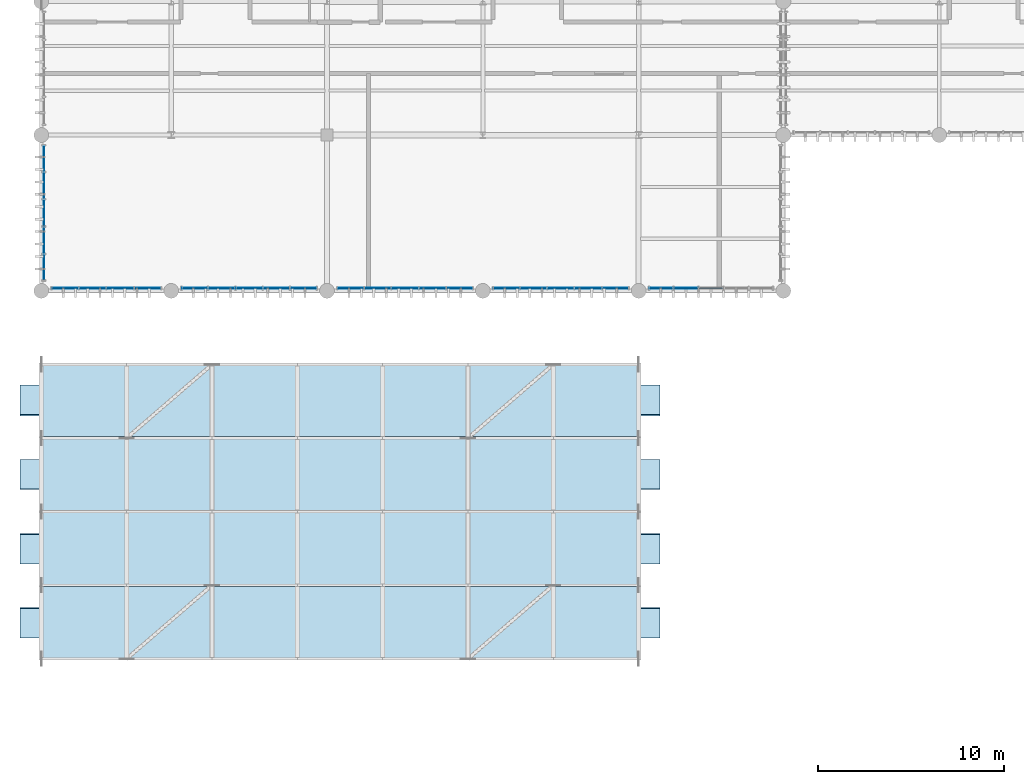
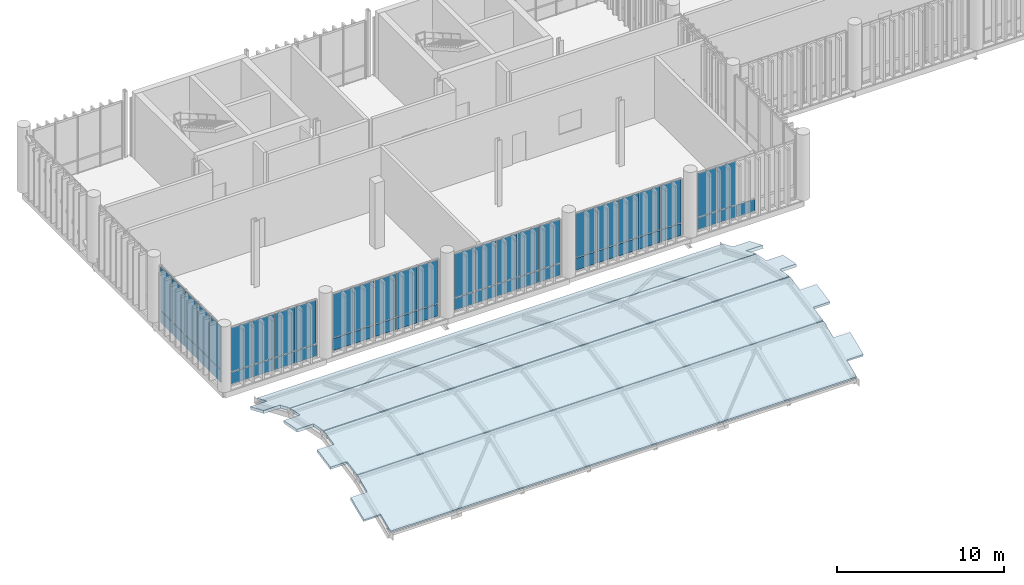
# One storey, part 66 of 94: 53 plates, 4 slabs, 6 elements without a shape of their own.
"""IFC4 building model written with IfcOpenShell, lengths in metres."""

from ifc_helpers import new_model, si_unit, direction, frame, frame_2d, origin_with_axes, place, context, subcontext, project, spatial, polyline, rectangle, outline, extrude, material, layer, layer_set, type_object, element, aggregate, save


model = new_model("IFC4")

# Units and contexts
model_context = context("Model", 3, precision=1e-05, world=origin_with_axes(), true_north=direction((0.0, 1.0)))
body_context = subcontext(model_context, "Body", "Model", "MODEL_VIEW")
ifc_project = project(units=[si_unit("LENGTHUNIT", "METRE"), si_unit("AREAUNIT", "SQUARE_METRE"), si_unit("VOLUMEUNIT", "CUBIC_METRE"), si_unit("PLANEANGLEUNIT", "RADIAN"), si_unit("MASSUNIT", "GRAM", prefix="KILO"), si_unit("THERMODYNAMICTEMPERATUREUNIT", "KELVIN")], contexts=[model_context])

# Site, building, storey
site_placement = place(None, origin_with_axes())
site = spatial("IfcSite", under=ifc_project, at=site_placement, CompositionType="ELEMENT")
building_placement = place(site_placement, origin_with_axes())
building = spatial("IfcBuilding", under=site, at=building_placement, Name="Montbau Bow Law Courts", CompositionType="ELEMENT")
storey_placement = place(building_placement, frame((0.0, 0.0, 15.6), z_axis=(0.0, 0.0, 1.0), x_axis=(1.0, 0.0, 0.0)))
storey = spatial("IfcBuildingStorey", under=building, at=storey_placement, Name="L03", CompositionType="ELEMENT", Elevation=15.6)

# Curtain wall, plates
ifc_material_1 = material(Name="Thermally Broken Extruded Aluminium AA 6063-T6", Category="aluminium")
curtain_wall_type = type_object("IfcCurtainWallType", Name="CW-TRC-01", PredefinedType="NOTDEFINED", material=ifc_material_1)
curtain_wall_1_placement = place(None, frame((7.315, 30.74, 15.6), z_axis=(0.0, 0.0, 1.0), x_axis=(1.0, 0.0, 0.0)))
curtain_wall_1 = element("IfcCurtainWall", 1, at=curtain_wall_1_placement, inside=storey, type_object=curtain_wall_type, Name="CW-L03-050:cw_0050", PredefinedType="NOTDEFINED")
ifc_material_2 = material(Name="Triple-Glazed Low-E Argon Insulating Glass Unit", Category="glass")
ifc_layer_1 = layer(ifc_material_2, 0.044, Name="Curtain Panel", Category="glass")
ifc_layer_set_1 = layer_set([ifc_layer_1], Name="Triple-Glazed Low-E Argon Insulating Glass Unit")
plate_type_1 = type_object("IfcPlateType", Name="PL-CWP-01", PredefinedType="CURTAIN_PANEL", material=ifc_layer_set_1)
plate_1_placement = place(None, frame((7.377, 30.74, 16.582), z_axis=(0.0, -1.0, 0.0), x_axis=(1.0, 0.0, 0.0)))
plate_1 = element("IfcPlate", 2, at=plate_1_placement, type_object=plate_type_1, Name="CW-L03-050-P01-2:cw_0050_P01_2", PredefinedType="CURTAIN_PANEL", context=body_context, shape_type="SweptSolid", body=[
    extrude(rectangle(XDim=1.398, YDim=3.176, at=frame_2d((0.699, 1.588), x_axis=(1.0, 0.0))), frame((0.0, 0.0, -0.022), z_axis=(0.0, 0.0, 1.0), x_axis=(1.0, 0.0, 0.0)), (0.0, 0.0, 1.0), 0.044),
])
plate_2_placement = place(None, frame((8.839, 30.74, 16.582), z_axis=(0.0, -1.0, 0.0), x_axis=(1.0, 0.0, 0.0)))
plate_2 = element("IfcPlate", 3, at=plate_2_placement, type_object=plate_type_1, Name="CW-L03-050-P02-2:cw_0050_P02_2", PredefinedType="CURTAIN_PANEL", context=body_context, shape_type="SweptSolid", body=[
    extrude(rectangle(XDim=1.429, YDim=3.176, at=frame_2d((0.7145, 1.588), x_axis=(1.0, 0.0))), frame((0.0, 0.0, -0.022), z_axis=(0.0, 0.0, 1.0), x_axis=(1.0, 0.0, 0.0)), (0.0, 0.0, 1.0), 0.044),
])
plate_3_placement = place(None, frame((10.332, 30.74, 16.582), z_axis=(0.0, -1.0, 0.0), x_axis=(1.0, 0.0, 0.0)))
plate_3 = element("IfcPlate", 4, at=plate_3_placement, type_object=plate_type_1, Name="CW-L03-050-P03-2:cw_0050_P03_2", PredefinedType="CURTAIN_PANEL", context=body_context, shape_type="SweptSolid", body=[
    extrude(rectangle(XDim=1.429, YDim=3.176, at=frame_2d((0.7145, 1.588), x_axis=(1.0, 0.0))), frame((0.0, 0.0, -0.022), z_axis=(0.0, 0.0, 1.0), x_axis=(1.0, 0.0, 0.0)), (0.0, 0.0, 1.0), 0.044),
])
plate_4_placement = place(None, frame((11.825, 30.74, 16.582), z_axis=(0.0, -1.0, 0.0), x_axis=(1.0, 0.0, 0.0)))
plate_4 = element("IfcPlate", 5, at=plate_4_placement, type_object=plate_type_1, Name="CW-L03-050-P04-2:cw_0050_P04_2", PredefinedType="CURTAIN_PANEL", context=body_context, shape_type="SweptSolid", body=[
    extrude(rectangle(XDim=1.398, YDim=3.176, at=frame_2d((0.699, 1.588), x_axis=(1.0, 0.0))), frame((0.0, 0.0, -0.022), z_axis=(0.0, 0.0, 1.0), x_axis=(1.0, 0.0, 0.0)), (0.0, 0.0, 1.0), 0.044),
])

curtain_wall_2_placement = place(None, frame((14.315, 30.74, 15.6), z_axis=(0.0, 0.0, 1.0), x_axis=(1.0, 0.0, 0.0)))
curtain_wall_2 = element("IfcCurtainWall", 6, at=curtain_wall_2_placement, inside=storey, type_object=curtain_wall_type, Name="CW-L03-051:cw_0051", PredefinedType="NOTDEFINED")
plate_5_placement = place(None, frame((14.391, 30.74, 16.579), z_axis=(0.0, -1.0, 0.0), x_axis=(1.0, 0.0, 0.0)))
plate_5 = element("IfcPlate", 7, at=plate_5_placement, type_object=plate_type_1, Name="CW-L03-051-P01-2:cw_0051_P01_2", PredefinedType="CURTAIN_PANEL", context=body_context, shape_type="SweptSolid", body=[
    extrude(rectangle(XDim=1.358, YDim=3.185, at=frame_2d((0.679, 1.5925), x_axis=(1.0, 0.0))), frame((0.0, 0.0, -0.022), z_axis=(0.0, 0.0, 1.0), x_axis=(1.0, 0.0, 0.0)), (0.0, 0.0, 1.0), 0.044),
])
plate_6_placement = place(None, frame((15.829, 30.74, 16.579), z_axis=(0.0, -1.0, 0.0), x_axis=(1.0, 0.0, 0.0)))
plate_6 = element("IfcPlate", 8, at=plate_6_placement, type_object=plate_type_1, Name="CW-L03-051-P02-2:cw_0051_P02_2", PredefinedType="CURTAIN_PANEL", context=body_context, shape_type="SweptSolid", body=[
    extrude(rectangle(XDim=1.395, YDim=3.185, at=frame_2d((0.6975, 1.5925), x_axis=(1.0, 0.0))), frame((0.0, 0.0, -0.022), z_axis=(0.0, 0.0, 1.0), x_axis=(1.0, 0.0, 0.0)), (0.0, 0.0, 1.0), 0.044),
])
plate_7_placement = place(None, frame((17.302, 30.74, 16.579), z_axis=(0.0, -1.0, 0.0), x_axis=(1.0, 0.0, 0.0)))
plate_7 = element("IfcPlate", 9, at=plate_7_placement, type_object=plate_type_1, Name="CW-L03-051-P03-2:cw_0051_P03_2", PredefinedType="CURTAIN_PANEL", context=body_context, shape_type="SweptSolid", body=[
    extrude(rectangle(XDim=1.396, YDim=3.185, at=frame_2d((0.698, 1.5925), x_axis=(1.0, 0.0))), frame((0.0, 0.0, -0.022), z_axis=(0.0, 0.0, 1.0), x_axis=(1.0, 0.0, 0.0)), (0.0, 0.0, 1.0), 0.044),
])
plate_8_placement = place(None, frame((18.776, 30.74, 16.579), z_axis=(0.0, -1.0, 0.0), x_axis=(1.0, 0.0, 0.0)))
plate_8 = element("IfcPlate", 10, at=plate_8_placement, type_object=plate_type_1, Name="CW-L03-051-P04-2:cw_0051_P04_2", PredefinedType="CURTAIN_PANEL", context=body_context, shape_type="SweptSolid", body=[
    extrude(rectangle(XDim=1.396, YDim=3.185, at=frame_2d((0.698, 1.5925), x_axis=(1.0, 0.0))), frame((0.0, 0.0, -0.022), z_axis=(0.0, 0.0, 1.0), x_axis=(1.0, 0.0, 0.0)), (0.0, 0.0, 1.0), 0.044),
])
plate_9_placement = place(None, frame((20.25, 30.74, 16.579), z_axis=(0.0, -1.0, 0.0), x_axis=(1.0, 0.0, 0.0)))
plate_9 = element("IfcPlate", 11, at=plate_9_placement, type_object=plate_type_1, Name="CW-L03-051-P05-2:cw_0051_P05_2", PredefinedType="CURTAIN_PANEL", context=body_context, shape_type="SweptSolid", body=[
    extrude(rectangle(XDim=1.358, YDim=3.185, at=frame_2d((0.679, 1.5925), x_axis=(1.0, 0.0))), frame((0.0, 0.0, -0.022), z_axis=(0.0, 0.0, 1.0), x_axis=(1.0, 0.0, 0.0)), (0.0, 0.0, 1.0), 0.044),
])

curtain_wall_3_placement = place(None, frame((22.715, 30.74, 15.6), z_axis=(0.0, 0.0, 1.0), x_axis=(1.0, 0.0, 0.0)))
curtain_wall_3 = element("IfcCurtainWall", 12, at=curtain_wall_3_placement, inside=storey, type_object=curtain_wall_type, Name="CW-L03-052:cw_0052", PredefinedType="NOTDEFINED")
plate_10_placement = place(None, frame((22.783, 30.74, 16.582), z_axis=(0.0, -1.0, 0.0), x_axis=(1.0, 0.0, 0.0)))
plate_10 = element("IfcPlate", 13, at=plate_10_placement, type_object=plate_type_1, Name="CW-L03-052-P01-2:cw_0052_P01_2", PredefinedType="CURTAIN_PANEL", context=body_context, shape_type="SweptSolid", body=[
    extrude(rectangle(XDim=1.372, YDim=3.176, at=frame_2d((0.686, 1.588), x_axis=(1.0, 0.0))), frame((0.0, 0.0, -0.022), z_axis=(0.0, 0.0, 1.0), x_axis=(1.0, 0.0, 0.0)), (0.0, 0.0, 1.0), 0.044),
])
plate_11_placement = place(None, frame((24.223, 30.74, 16.582), z_axis=(0.0, -1.0, 0.0), x_axis=(1.0, 0.0, 0.0)))
plate_11 = element("IfcPlate", 14, at=plate_11_placement, type_object=plate_type_1, Name="CW-L03-052-P02-2:cw_0052_P02_2", PredefinedType="CURTAIN_PANEL", context=body_context, shape_type="SweptSolid", body=[
    extrude(rectangle(XDim=1.405, YDim=3.176, at=frame_2d((0.7025, 1.588), x_axis=(1.0, 0.0))), frame((0.0, 0.0, -0.022), z_axis=(0.0, 0.0, 1.0), x_axis=(1.0, 0.0, 0.0)), (0.0, 0.0, 1.0), 0.044),
])
plate_12_placement = place(None, frame((25.697, 30.74, 16.582), z_axis=(0.0, -1.0, 0.0), x_axis=(1.0, 0.0, 0.0)))
plate_12 = element("IfcPlate", 15, at=plate_12_placement, type_object=plate_type_1, Name="CW-L03-052-P03-2:cw_0052_P03_2", PredefinedType="CURTAIN_PANEL", context=body_context, shape_type="SweptSolid", body=[
    extrude(rectangle(XDim=1.406, YDim=3.176, at=frame_2d((0.703, 1.588), x_axis=(1.0, 0.0))), frame((0.0, 0.0, -0.022), z_axis=(0.0, 0.0, 1.0), x_axis=(1.0, 0.0, 0.0)), (0.0, 0.0, 1.0), 0.044),
])
plate_13_placement = place(None, frame((27.171, 30.74, 16.582), z_axis=(0.0, -1.0, 0.0), x_axis=(1.0, 0.0, 0.0)))
plate_13 = element("IfcPlate", 16, at=plate_13_placement, type_object=plate_type_1, Name="CW-L03-052-P04-2:cw_0052_P04_2", PredefinedType="CURTAIN_PANEL", context=body_context, shape_type="SweptSolid", body=[
    extrude(rectangle(XDim=1.406, YDim=3.176, at=frame_2d((0.703, 1.588), x_axis=(1.0, 0.0))), frame((0.0, 0.0, -0.022), z_axis=(0.0, 0.0, 1.0), x_axis=(1.0, 0.0, 0.0)), (0.0, 0.0, 1.0), 0.044),
])
plate_14_placement = place(None, frame((28.645, 30.74, 16.582), z_axis=(0.0, -1.0, 0.0), x_axis=(1.0, 0.0, 0.0)))
plate_14 = element("IfcPlate", 17, at=plate_14_placement, type_object=plate_type_1, Name="CW-L03-052-P05-2:cw_0052_P05_2", PredefinedType="CURTAIN_PANEL", context=body_context, shape_type="SweptSolid", body=[
    extrude(rectangle(XDim=1.374, YDim=3.176, at=frame_2d((0.687, 1.588), x_axis=(1.0, 0.0))), frame((0.0, 0.0, -0.022), z_axis=(0.0, 0.0, 1.0), x_axis=(1.0, 0.0, 0.0)), (0.0, 0.0, 1.0), 0.044),
])

curtain_wall_4_placement = place(None, frame((31.115, 30.74, 15.6), z_axis=(0.0, 0.0, 1.0), x_axis=(1.0, 0.0, 0.0)))
curtain_wall_4 = element("IfcCurtainWall", 18, at=curtain_wall_4_placement, inside=storey, type_object=curtain_wall_type, Name="CW-L03-053:cw_0053", PredefinedType="NOTDEFINED")
plate_15_placement = place(None, frame((31.177, 30.74, 16.579), z_axis=(0.0, -1.0, 0.0), x_axis=(1.0, 0.0, 0.0)))
plate_15 = element("IfcPlate", 19, at=plate_15_placement, type_object=plate_type_1, Name="CW-L03-053-P01-2:cw_0053_P01_2", PredefinedType="CURTAIN_PANEL", context=body_context, shape_type="SweptSolid", body=[
    extrude(rectangle(XDim=1.38, YDim=3.185, at=frame_2d((0.69, 1.5925), x_axis=(1.0, 0.0))), frame((0.0, 0.0, -0.022), z_axis=(0.0, 0.0, 1.0), x_axis=(1.0, 0.0, 0.0)), (0.0, 0.0, 1.0), 0.044),
])
plate_16_placement = place(None, frame((32.621, 30.74, 16.579), z_axis=(0.0, -1.0, 0.0), x_axis=(1.0, 0.0, 0.0)))
plate_16 = element("IfcPlate", 20, at=plate_16_placement, type_object=plate_type_1, Name="CW-L03-053-P02-2:cw_0053_P02_2", PredefinedType="CURTAIN_PANEL", context=body_context, shape_type="SweptSolid", body=[
    extrude(rectangle(XDim=1.41, YDim=3.185, at=frame_2d((0.705, 1.5925), x_axis=(1.0, 0.0))), frame((0.0, 0.0, -0.022), z_axis=(0.0, 0.0, 1.0), x_axis=(1.0, 0.0, 0.0)), (0.0, 0.0, 1.0), 0.044),
])
plate_17_placement = place(None, frame((34.095, 30.74, 16.579), z_axis=(0.0, -1.0, 0.0), x_axis=(1.0, 0.0, 0.0)))
plate_17 = element("IfcPlate", 21, at=plate_17_placement, type_object=plate_type_1, Name="CW-L03-053-P03-2:cw_0053_P03_2", PredefinedType="CURTAIN_PANEL", context=body_context, shape_type="SweptSolid", body=[
    extrude(rectangle(XDim=1.41, YDim=3.185, at=frame_2d((0.705, 1.5925), x_axis=(1.0, 0.0))), frame((0.0, 0.0, -0.022), z_axis=(0.0, 0.0, 1.0), x_axis=(1.0, 0.0, 0.0)), (0.0, 0.0, 1.0), 0.044),
])
plate_18_placement = place(None, frame((35.569, 30.74, 16.579), z_axis=(0.0, -1.0, 0.0), x_axis=(1.0, 0.0, 0.0)))
plate_18 = element("IfcPlate", 22, at=plate_18_placement, type_object=plate_type_1, Name="CW-L03-053-P04-2:cw_0053_P04_2", PredefinedType="CURTAIN_PANEL", context=body_context, shape_type="SweptSolid", body=[
    extrude(rectangle(XDim=1.41, YDim=3.185, at=frame_2d((0.705, 1.5925), x_axis=(1.0, 0.0))), frame((0.0, 0.0, -0.022), z_axis=(0.0, 0.0, 1.0), x_axis=(1.0, 0.0, 0.0)), (0.0, 0.0, 1.0), 0.044),
])
plate_19_placement = place(None, frame((37.043, 30.74, 16.579), z_axis=(0.0, -1.0, 0.0), x_axis=(1.0, 0.0, 0.0)))
plate_19 = element("IfcPlate", 23, at=plate_19_placement, type_object=plate_type_1, Name="CW-L03-053-P05-2:cw_0053_P05_2", PredefinedType="CURTAIN_PANEL", context=body_context, shape_type="SweptSolid", body=[
    extrude(rectangle(XDim=1.38, YDim=3.185, at=frame_2d((0.69, 1.5925), x_axis=(1.0, 0.0))), frame((0.0, 0.0, -0.022), z_axis=(0.0, 0.0, 1.0), x_axis=(1.0, 0.0, 0.0)), (0.0, 0.0, 1.0), 0.044),
])

curtain_wall_5_placement = place(None, frame((39.515, 30.74, 15.6), z_axis=(0.0, 0.0, 1.0), x_axis=(1.0, 0.0, 0.0)))
curtain_wall_5 = element("IfcCurtainWall", 24, at=curtain_wall_5_placement, inside=storey, type_object=curtain_wall_type, Name="CW-L03-054:cw_0054", PredefinedType="NOTDEFINED")
plate_20_placement = place(None, frame((39.591, 30.74, 16.582), z_axis=(0.0, -1.0, 0.0), x_axis=(1.0, 0.0, 0.0)))
plate_20 = element("IfcPlate", 25, at=plate_20_placement, type_object=plate_type_1, Name="CW-L03-054-P01-2:cw_0054_P01_2", PredefinedType="CURTAIN_PANEL", context=body_context, shape_type="SweptSolid", body=[
    extrude(rectangle(XDim=1.239, YDim=3.176, at=frame_2d((0.6195, 1.588), x_axis=(1.0, 0.0))), frame((0.0, 0.0, -0.022), z_axis=(0.0, 0.0, 1.0), x_axis=(1.0, 0.0, 0.0)), (0.0, 0.0, 1.0), 0.044),
])
plate_21_placement = place(None, frame((40.909, 30.74, 16.582), z_axis=(0.0, -1.0, 0.0), x_axis=(1.0, 0.0, 0.0)))
plate_21 = element("IfcPlate", 26, at=plate_21_placement, type_object=plate_type_1, Name="CW-L03-054-P02-2:cw_0054_P02_2", PredefinedType="CURTAIN_PANEL", context=body_context, shape_type="SweptSolid", body=[
    extrude(rectangle(XDim=1.275, YDim=3.176, at=frame_2d((0.6375, 1.588), x_axis=(1.0, 0.0))), frame((0.0, 0.0, -0.022), z_axis=(0.0, 0.0, 1.0), x_axis=(1.0, 0.0, 0.0)), (0.0, 0.0, 1.0), 0.044),
])

curtain_wall_6_placement = place(None, frame((6.94, 31.115, 15.6), z_axis=(0.0, 0.0, 1.0), x_axis=(1.0, 0.0, 0.0)))
curtain_wall_6 = element("IfcCurtainWall", 27, at=curtain_wall_6_placement, inside=storey, type_object=curtain_wall_type, Name="CW-L03-060:cw_0060", PredefinedType="NOTDEFINED")
plate_22_placement = place(None, frame((6.94, 31.191, 16.582), z_axis=(1.0, 0.0, 0.0), x_axis=(0.0, 1.0, 0.0)))
plate_22 = element("IfcPlate", 28, at=plate_22_placement, type_object=plate_type_1, Name="CW-L03-060-P01-2:cw_0060_P01_2", PredefinedType="CURTAIN_PANEL", context=body_context, shape_type="SweptSolid", body=[
    extrude(rectangle(XDim=1.358, YDim=3.176, at=frame_2d((0.679, 1.588), x_axis=(1.0, 0.0))), frame((0.0, 0.0, -0.022), z_axis=(0.0, 0.0, 1.0), x_axis=(1.0, 0.0, 0.0)), (0.0, 0.0, 1.0), 0.044),
])
plate_23_placement = place(None, frame((6.94, 32.629, 16.582), z_axis=(1.0, 0.0, 0.0), x_axis=(0.0, 1.0, 0.0)))
plate_23 = element("IfcPlate", 29, at=plate_23_placement, type_object=plate_type_1, Name="CW-L03-060-P02-2:cw_0060_P02_2", PredefinedType="CURTAIN_PANEL", context=body_context, shape_type="SweptSolid", body=[
    extrude(rectangle(XDim=1.395, YDim=3.176, at=frame_2d((0.6975, 1.588), x_axis=(1.0, 0.0))), frame((0.0, 0.0, -0.022), z_axis=(0.0, 0.0, 1.0), x_axis=(1.0, 0.0, 0.0)), (0.0, 0.0, 1.0), 0.044),
])
plate_24_placement = place(None, frame((6.94, 34.102, 16.582), z_axis=(1.0, 0.0, 0.0), x_axis=(0.0, 1.0, 0.0)))
plate_24 = element("IfcPlate", 30, at=plate_24_placement, type_object=plate_type_1, Name="CW-L03-060-P03-2:cw_0060_P03_2", PredefinedType="CURTAIN_PANEL", context=body_context, shape_type="SweptSolid", body=[
    extrude(rectangle(XDim=1.396, YDim=3.176, at=frame_2d((0.698, 1.588), x_axis=(1.0, 0.0))), frame((0.0, 0.0, -0.022), z_axis=(0.0, 0.0, 1.0), x_axis=(1.0, 0.0, 0.0)), (0.0, 0.0, 1.0), 0.044),
])
plate_25_placement = place(None, frame((6.94, 35.576, 16.582), z_axis=(1.0, 0.0, 0.0), x_axis=(0.0, 1.0, 0.0)))
plate_25 = element("IfcPlate", 31, at=plate_25_placement, type_object=plate_type_1, Name="CW-L03-060-P04-2:cw_0060_P04_2", PredefinedType="CURTAIN_PANEL", context=body_context, shape_type="SweptSolid", body=[
    extrude(rectangle(XDim=1.396, YDim=3.176, at=frame_2d((0.698, 1.588), x_axis=(1.0, 0.0))), frame((0.0, 0.0, -0.022), z_axis=(0.0, 0.0, 1.0), x_axis=(1.0, 0.0, 0.0)), (0.0, 0.0, 1.0), 0.044),
])
plate_26_placement = place(None, frame((6.94, 37.05, 16.582), z_axis=(1.0, 0.0, 0.0), x_axis=(0.0, 1.0, 0.0)))
plate_26 = element("IfcPlate", 32, at=plate_26_placement, type_object=plate_type_1, Name="CW-L03-060-P05-2:cw_0060_P05_2", PredefinedType="CURTAIN_PANEL", context=body_context, shape_type="SweptSolid", body=[
    extrude(rectangle(XDim=1.359, YDim=3.176, at=frame_2d((0.6795, 1.588), x_axis=(1.0, 0.0))), frame((0.0, 0.0, -0.022), z_axis=(0.0, 0.0, 1.0), x_axis=(1.0, 0.0, 0.0)), (0.0, 0.0, 1.0), 0.044),
])

# Plate
ifc_material_3 = material(Name="Insulated Ceramic-Frit Spandrel Glazing Unit", Category="glass")
ifc_layer_2 = layer(ifc_material_3, 0.056, Name="Curtain Panel", Category="glass")
ifc_layer_set_2 = layer_set([ifc_layer_2], Name="Insulated Ceramic-Frit Spandrel Glazing Unit")
plate_type_2 = type_object("IfcPlateType", Name="PL-CWP-02", PredefinedType="CURTAIN_PANEL", material=ifc_layer_set_2)
plate_27_placement = place(None, frame((7.377, 30.74, 15.662), z_axis=(0.0, -1.0, 0.0), x_axis=(1.0, 0.0, 0.0)))
plate_27 = element("IfcPlate", 33, at=plate_27_placement, type_object=plate_type_2, Name="CW-L03-050-P01-1:cw_0050_P01_1", PredefinedType="CURTAIN_PANEL", context=body_context, shape_type="SweptSolid", body=[
    extrude(rectangle(XDim=1.398, YDim=0.856, at=frame_2d((0.699, 0.428), x_axis=(1.0, 0.0))), frame((0.0, 0.0, -0.028), z_axis=(0.0, 0.0, 1.0), x_axis=(1.0, 0.0, 0.0)), (0.0, 0.0, 1.0), 0.056),
])

plate_28_placement = place(None, frame((8.839, 30.74, 15.662), z_axis=(0.0, -1.0, 0.0), x_axis=(1.0, 0.0, 0.0)))
plate_28 = element("IfcPlate", 34, at=plate_28_placement, type_object=plate_type_2, Name="CW-L03-050-P02-1:cw_0050_P02_1", PredefinedType="CURTAIN_PANEL", context=body_context, shape_type="SweptSolid", body=[
    extrude(rectangle(XDim=1.429, YDim=0.856, at=frame_2d((0.7145, 0.428), x_axis=(1.0, 0.0))), frame((0.0, 0.0, -0.028), z_axis=(0.0, 0.0, 1.0), x_axis=(1.0, 0.0, 0.0)), (0.0, 0.0, 1.0), 0.056),
])

plate_29_placement = place(None, frame((10.332, 30.74, 15.662), z_axis=(0.0, -1.0, 0.0), x_axis=(1.0, 0.0, 0.0)))
plate_29 = element("IfcPlate", 35, at=plate_29_placement, type_object=plate_type_2, Name="CW-L03-050-P03-1:cw_0050_P03_1", PredefinedType="CURTAIN_PANEL", context=body_context, shape_type="SweptSolid", body=[
    extrude(rectangle(XDim=1.429, YDim=0.856, at=frame_2d((0.7145, 0.428), x_axis=(1.0, 0.0))), frame((0.0, 0.0, -0.028), z_axis=(0.0, 0.0, 1.0), x_axis=(1.0, 0.0, 0.0)), (0.0, 0.0, 1.0), 0.056),
])

plate_30_placement = place(None, frame((11.825, 30.74, 15.662), z_axis=(0.0, -1.0, 0.0), x_axis=(1.0, 0.0, 0.0)))
plate_30 = element("IfcPlate", 36, at=plate_30_placement, type_object=plate_type_2, Name="CW-L03-050-P04-1:cw_0050_P04_1", PredefinedType="CURTAIN_PANEL", context=body_context, shape_type="SweptSolid", body=[
    extrude(rectangle(XDim=1.398, YDim=0.856, at=frame_2d((0.699, 0.428), x_axis=(1.0, 0.0))), frame((0.0, 0.0, -0.028), z_axis=(0.0, 0.0, 1.0), x_axis=(1.0, 0.0, 0.0)), (0.0, 0.0, 1.0), 0.056),
])

aggregate(curtain_wall_1, [plate_27, plate_1, plate_28, plate_2, plate_29, plate_3, plate_30, plate_4])

plate_31_placement = place(None, frame((14.391, 30.74, 15.657), z_axis=(0.0, -1.0, 0.0), x_axis=(1.0, 0.0, 0.0)))
plate_31 = element("IfcPlate", 37, at=plate_31_placement, type_object=plate_type_2, Name="CW-L03-051-P01-1:cw_0051_P01_1", PredefinedType="CURTAIN_PANEL", context=body_context, shape_type="SweptSolid", body=[
    extrude(rectangle(XDim=1.358, YDim=0.864, at=frame_2d((0.679, 0.432), x_axis=(1.0, 0.0))), frame((0.0, 0.0, -0.028), z_axis=(0.0, 0.0, 1.0), x_axis=(1.0, 0.0, 0.0)), (0.0, 0.0, 1.0), 0.056),
])

plate_32_placement = place(None, frame((15.829, 30.74, 15.657), z_axis=(0.0, -1.0, 0.0), x_axis=(1.0, 0.0, 0.0)))
plate_32 = element("IfcPlate", 38, at=plate_32_placement, type_object=plate_type_2, Name="CW-L03-051-P02-1:cw_0051_P02_1", PredefinedType="CURTAIN_PANEL", context=body_context, shape_type="SweptSolid", body=[
    extrude(rectangle(XDim=1.395, YDim=0.864, at=frame_2d((0.6975, 0.432), x_axis=(1.0, 0.0))), frame((0.0, 0.0, -0.028), z_axis=(0.0, 0.0, 1.0), x_axis=(1.0, 0.0, 0.0)), (0.0, 0.0, 1.0), 0.056),
])

plate_33_placement = place(None, frame((17.302, 30.74, 15.657), z_axis=(0.0, -1.0, 0.0), x_axis=(1.0, 0.0, 0.0)))
plate_33 = element("IfcPlate", 39, at=plate_33_placement, type_object=plate_type_2, Name="CW-L03-051-P03-1:cw_0051_P03_1", PredefinedType="CURTAIN_PANEL", context=body_context, shape_type="SweptSolid", body=[
    extrude(rectangle(XDim=1.396, YDim=0.864, at=frame_2d((0.698, 0.432), x_axis=(1.0, 0.0))), frame((0.0, 0.0, -0.028), z_axis=(0.0, 0.0, 1.0), x_axis=(1.0, 0.0, 0.0)), (0.0, 0.0, 1.0), 0.056),
])

plate_34_placement = place(None, frame((18.776, 30.74, 15.657), z_axis=(0.0, -1.0, 0.0), x_axis=(1.0, 0.0, 0.0)))
plate_34 = element("IfcPlate", 40, at=plate_34_placement, type_object=plate_type_2, Name="CW-L03-051-P04-1:cw_0051_P04_1", PredefinedType="CURTAIN_PANEL", context=body_context, shape_type="SweptSolid", body=[
    extrude(rectangle(XDim=1.396, YDim=0.864, at=frame_2d((0.698, 0.432), x_axis=(1.0, 0.0))), frame((0.0, 0.0, -0.028), z_axis=(0.0, 0.0, 1.0), x_axis=(1.0, 0.0, 0.0)), (0.0, 0.0, 1.0), 0.056),
])

plate_35_placement = place(None, frame((20.25, 30.74, 15.657), z_axis=(0.0, -1.0, 0.0), x_axis=(1.0, 0.0, 0.0)))
plate_35 = element("IfcPlate", 41, at=plate_35_placement, type_object=plate_type_2, Name="CW-L03-051-P05-1:cw_0051_P05_1", PredefinedType="CURTAIN_PANEL", context=body_context, shape_type="SweptSolid", body=[
    extrude(rectangle(XDim=1.358, YDim=0.864, at=frame_2d((0.679, 0.432), x_axis=(1.0, 0.0))), frame((0.0, 0.0, -0.028), z_axis=(0.0, 0.0, 1.0), x_axis=(1.0, 0.0, 0.0)), (0.0, 0.0, 1.0), 0.056),
])

aggregate(curtain_wall_2, [plate_31, plate_5, plate_32, plate_6, plate_33, plate_7, plate_34, plate_8, plate_35, plate_9])

plate_36_placement = place(None, frame((22.783, 30.74, 15.662), z_axis=(0.0, -1.0, 0.0), x_axis=(1.0, 0.0, 0.0)))
plate_36 = element("IfcPlate", 42, at=plate_36_placement, type_object=plate_type_2, Name="CW-L03-052-P01-1:cw_0052_P01_1", PredefinedType="CURTAIN_PANEL", context=body_context, shape_type="SweptSolid", body=[
    extrude(rectangle(XDim=1.372, YDim=0.856, at=frame_2d((0.686, 0.428), x_axis=(1.0, 0.0))), frame((0.0, 0.0, -0.028), z_axis=(0.0, 0.0, 1.0), x_axis=(1.0, 0.0, 0.0)), (0.0, 0.0, 1.0), 0.056),
])

plate_37_placement = place(None, frame((24.223, 30.74, 15.662), z_axis=(0.0, -1.0, 0.0), x_axis=(1.0, 0.0, 0.0)))
plate_37 = element("IfcPlate", 43, at=plate_37_placement, type_object=plate_type_2, Name="CW-L03-052-P02-1:cw_0052_P02_1", PredefinedType="CURTAIN_PANEL", context=body_context, shape_type="SweptSolid", body=[
    extrude(rectangle(XDim=1.405, YDim=0.856, at=frame_2d((0.7025, 0.428), x_axis=(1.0, 0.0))), frame((0.0, 0.0, -0.028), z_axis=(0.0, 0.0, 1.0), x_axis=(1.0, 0.0, 0.0)), (0.0, 0.0, 1.0), 0.056),
])

plate_38_placement = place(None, frame((25.697, 30.74, 15.662), z_axis=(0.0, -1.0, 0.0), x_axis=(1.0, 0.0, 0.0)))
plate_38 = element("IfcPlate", 44, at=plate_38_placement, type_object=plate_type_2, Name="CW-L03-052-P03-1:cw_0052_P03_1", PredefinedType="CURTAIN_PANEL", context=body_context, shape_type="SweptSolid", body=[
    extrude(rectangle(XDim=1.406, YDim=0.856, at=frame_2d((0.703, 0.428), x_axis=(1.0, 0.0))), frame((0.0, 0.0, -0.028), z_axis=(0.0, 0.0, 1.0), x_axis=(1.0, 0.0, 0.0)), (0.0, 0.0, 1.0), 0.056),
])

plate_39_placement = place(None, frame((27.171, 30.74, 15.662), z_axis=(0.0, -1.0, 0.0), x_axis=(1.0, 0.0, 0.0)))
plate_39 = element("IfcPlate", 45, at=plate_39_placement, type_object=plate_type_2, Name="CW-L03-052-P04-1:cw_0052_P04_1", PredefinedType="CURTAIN_PANEL", context=body_context, shape_type="SweptSolid", body=[
    extrude(rectangle(XDim=1.406, YDim=0.856, at=frame_2d((0.703, 0.428), x_axis=(1.0, 0.0))), frame((0.0, 0.0, -0.028), z_axis=(0.0, 0.0, 1.0), x_axis=(1.0, 0.0, 0.0)), (0.0, 0.0, 1.0), 0.056),
])

plate_40_placement = place(None, frame((28.645, 30.74, 15.662), z_axis=(0.0, -1.0, 0.0), x_axis=(1.0, 0.0, 0.0)))
plate_40 = element("IfcPlate", 46, at=plate_40_placement, type_object=plate_type_2, Name="CW-L03-052-P05-1:cw_0052_P05_1", PredefinedType="CURTAIN_PANEL", context=body_context, shape_type="SweptSolid", body=[
    extrude(rectangle(XDim=1.374, YDim=0.856, at=frame_2d((0.687, 0.428), x_axis=(1.0, 0.0))), frame((0.0, 0.0, -0.028), z_axis=(0.0, 0.0, 1.0), x_axis=(1.0, 0.0, 0.0)), (0.0, 0.0, 1.0), 0.056),
])

aggregate(curtain_wall_3, [plate_36, plate_10, plate_37, plate_11, plate_38, plate_12, plate_39, plate_13, plate_40, plate_14])

plate_41_placement = place(None, frame((31.177, 30.74, 15.657), z_axis=(0.0, -1.0, 0.0), x_axis=(1.0, 0.0, 0.0)))
plate_41 = element("IfcPlate", 47, at=plate_41_placement, type_object=plate_type_2, Name="CW-L03-053-P01-1:cw_0053_P01_1", PredefinedType="CURTAIN_PANEL", context=body_context, shape_type="SweptSolid", body=[
    extrude(rectangle(XDim=1.38, YDim=0.864, at=frame_2d((0.69, 0.432), x_axis=(1.0, 0.0))), frame((0.0, 0.0, -0.028), z_axis=(0.0, 0.0, 1.0), x_axis=(1.0, 0.0, 0.0)), (0.0, 0.0, 1.0), 0.056),
])

plate_42_placement = place(None, frame((32.621, 30.74, 15.657), z_axis=(0.0, -1.0, 0.0), x_axis=(1.0, 0.0, 0.0)))
plate_42 = element("IfcPlate", 48, at=plate_42_placement, type_object=plate_type_2, Name="CW-L03-053-P02-1:cw_0053_P02_1", PredefinedType="CURTAIN_PANEL", context=body_context, shape_type="SweptSolid", body=[
    extrude(rectangle(XDim=1.41, YDim=0.864, at=frame_2d((0.705, 0.432), x_axis=(1.0, 0.0))), frame((0.0, 0.0, -0.028), z_axis=(0.0, 0.0, 1.0), x_axis=(1.0, 0.0, 0.0)), (0.0, 0.0, 1.0), 0.056),
])

plate_43_placement = place(None, frame((34.095, 30.74, 15.657), z_axis=(0.0, -1.0, 0.0), x_axis=(1.0, 0.0, 0.0)))
plate_43 = element("IfcPlate", 49, at=plate_43_placement, type_object=plate_type_2, Name="CW-L03-053-P03-1:cw_0053_P03_1", PredefinedType="CURTAIN_PANEL", context=body_context, shape_type="SweptSolid", body=[
    extrude(rectangle(XDim=1.41, YDim=0.864, at=frame_2d((0.705, 0.432), x_axis=(1.0, 0.0))), frame((0.0, 0.0, -0.028), z_axis=(0.0, 0.0, 1.0), x_axis=(1.0, 0.0, 0.0)), (0.0, 0.0, 1.0), 0.056),
])

plate_44_placement = place(None, frame((35.569, 30.74, 15.657), z_axis=(0.0, -1.0, 0.0), x_axis=(1.0, 0.0, 0.0)))
plate_44 = element("IfcPlate", 50, at=plate_44_placement, type_object=plate_type_2, Name="CW-L03-053-P04-1:cw_0053_P04_1", PredefinedType="CURTAIN_PANEL", context=body_context, shape_type="SweptSolid", body=[
    extrude(rectangle(XDim=1.41, YDim=0.864, at=frame_2d((0.705, 0.432), x_axis=(1.0, 0.0))), frame((0.0, 0.0, -0.028), z_axis=(0.0, 0.0, 1.0), x_axis=(1.0, 0.0, 0.0)), (0.0, 0.0, 1.0), 0.056),
])

plate_45_placement = place(None, frame((37.043, 30.74, 15.657), z_axis=(0.0, -1.0, 0.0), x_axis=(1.0, 0.0, 0.0)))
plate_45 = element("IfcPlate", 51, at=plate_45_placement, type_object=plate_type_2, Name="CW-L03-053-P05-1:cw_0053_P05_1", PredefinedType="CURTAIN_PANEL", context=body_context, shape_type="SweptSolid", body=[
    extrude(rectangle(XDim=1.38, YDim=0.864, at=frame_2d((0.69, 0.432), x_axis=(1.0, 0.0))), frame((0.0, 0.0, -0.028), z_axis=(0.0, 0.0, 1.0), x_axis=(1.0, 0.0, 0.0)), (0.0, 0.0, 1.0), 0.056),
])

aggregate(curtain_wall_4, [plate_41, plate_15, plate_42, plate_16, plate_43, plate_17, plate_44, plate_18, plate_45, plate_19])

plate_46_placement = place(None, frame((39.591, 30.74, 15.662), z_axis=(0.0, -1.0, 0.0), x_axis=(1.0, 0.0, 0.0)))
plate_46 = element("IfcPlate", 52, at=plate_46_placement, type_object=plate_type_2, Name="CW-L03-054-P01-1:cw_0054_P01_1", PredefinedType="CURTAIN_PANEL", context=body_context, shape_type="SweptSolid", body=[
    extrude(rectangle(XDim=1.239, YDim=0.856, at=frame_2d((0.6195, 0.428), x_axis=(1.0, 0.0))), frame((0.0, 0.0, -0.028), z_axis=(0.0, 0.0, 1.0), x_axis=(1.0, 0.0, 0.0)), (0.0, 0.0, 1.0), 0.056),
])

plate_47_placement = place(None, frame((40.909, 30.74, 15.662), z_axis=(0.0, -1.0, 0.0), x_axis=(1.0, 0.0, 0.0)))
plate_47 = element("IfcPlate", 53, at=plate_47_placement, type_object=plate_type_2, Name="CW-L03-054-P02-1:cw_0054_P02_1", PredefinedType="CURTAIN_PANEL", context=body_context, shape_type="SweptSolid", body=[
    extrude(rectangle(XDim=1.275, YDim=0.856, at=frame_2d((0.6375, 0.428), x_axis=(1.0, 0.0))), frame((0.0, 0.0, -0.028), z_axis=(0.0, 0.0, 1.0), x_axis=(1.0, 0.0, 0.0)), (0.0, 0.0, 1.0), 0.056),
])

plate_48_placement = place(None, frame((42.263, 30.74, 15.662), z_axis=(0.0, -1.0, 0.0), x_axis=(1.0, 0.0, 0.0)))
plate_48 = element("IfcPlate", 54, at=plate_48_placement, type_object=plate_type_2, Name="CW-L03-054-P03-1:cw_0054_P03_1", PredefinedType="CURTAIN_PANEL", context=body_context, shape_type="SweptSolid", body=[
    extrude(rectangle(XDim=1.275, YDim=0.856, at=frame_2d((0.6375, 0.428), x_axis=(1.0, 0.0))), frame((0.0, 0.0, -0.028), z_axis=(0.0, 0.0, 1.0), x_axis=(1.0, 0.0, 0.0)), (0.0, 0.0, 1.0), 0.056),
])

aggregate(curtain_wall_5, [plate_46, plate_20, plate_47, plate_21, plate_48])

plate_49_placement = place(None, frame((6.94, 31.191, 15.662), z_axis=(1.0, 0.0, 0.0), x_axis=(0.0, 1.0, 0.0)))
plate_49 = element("IfcPlate", 55, at=plate_49_placement, type_object=plate_type_2, Name="CW-L03-060-P01-1:cw_0060_P01_1", PredefinedType="CURTAIN_PANEL", context=body_context, shape_type="SweptSolid", body=[
    extrude(rectangle(XDim=1.358, YDim=0.856, at=frame_2d((0.679, 0.428), x_axis=(1.0, 0.0))), frame((0.0, 0.0, -0.028), z_axis=(0.0, 0.0, 1.0), x_axis=(1.0, 0.0, 0.0)), (0.0, 0.0, 1.0), 0.056),
])

plate_50_placement = place(None, frame((6.94, 32.629, 15.662), z_axis=(1.0, 0.0, 0.0), x_axis=(0.0, 1.0, 0.0)))
plate_50 = element("IfcPlate", 56, at=plate_50_placement, type_object=plate_type_2, Name="CW-L03-060-P02-1:cw_0060_P02_1", PredefinedType="CURTAIN_PANEL", context=body_context, shape_type="SweptSolid", body=[
    extrude(rectangle(XDim=1.395, YDim=0.856, at=frame_2d((0.6975, 0.428), x_axis=(1.0, 0.0))), frame((0.0, 0.0, -0.028), z_axis=(0.0, 0.0, 1.0), x_axis=(1.0, 0.0, 0.0)), (0.0, 0.0, 1.0), 0.056),
])

plate_51_placement = place(None, frame((6.94, 34.102, 15.662), z_axis=(1.0, 0.0, 0.0), x_axis=(0.0, 1.0, 0.0)))
plate_51 = element("IfcPlate", 57, at=plate_51_placement, type_object=plate_type_2, Name="CW-L03-060-P03-1:cw_0060_P03_1", PredefinedType="CURTAIN_PANEL", context=body_context, shape_type="SweptSolid", body=[
    extrude(rectangle(XDim=1.396, YDim=0.856, at=frame_2d((0.698, 0.428), x_axis=(1.0, 0.0))), frame((0.0, 0.0, -0.028), z_axis=(0.0, 0.0, 1.0), x_axis=(1.0, 0.0, 0.0)), (0.0, 0.0, 1.0), 0.056),
])

plate_52_placement = place(None, frame((6.94, 35.576, 15.662), z_axis=(1.0, 0.0, 0.0), x_axis=(0.0, 1.0, 0.0)))
plate_52 = element("IfcPlate", 58, at=plate_52_placement, type_object=plate_type_2, Name="CW-L03-060-P04-1:cw_0060_P04_1", PredefinedType="CURTAIN_PANEL", context=body_context, shape_type="SweptSolid", body=[
    extrude(rectangle(XDim=1.396, YDim=0.856, at=frame_2d((0.698, 0.428), x_axis=(1.0, 0.0))), frame((0.0, 0.0, -0.028), z_axis=(0.0, 0.0, 1.0), x_axis=(1.0, 0.0, 0.0)), (0.0, 0.0, 1.0), 0.056),
])

plate_53_placement = place(None, frame((6.94, 37.05, 15.662), z_axis=(1.0, 0.0, 0.0), x_axis=(0.0, 1.0, 0.0)))
plate_53 = element("IfcPlate", 59, at=plate_53_placement, type_object=plate_type_2, Name="CW-L03-060-P05-1:cw_0060_P05_1", PredefinedType="CURTAIN_PANEL", context=body_context, shape_type="SweptSolid", body=[
    extrude(rectangle(XDim=1.359, YDim=0.856, at=frame_2d((0.6795, 0.428), x_axis=(1.0, 0.0))), frame((0.0, 0.0, -0.028), z_axis=(0.0, 0.0, 1.0), x_axis=(1.0, 0.0, 0.0)), (0.0, 0.0, 1.0), 0.056),
])

aggregate(curtain_wall_6, [plate_49, plate_22, plate_50, plate_23, plate_51, plate_24, plate_52, plate_25, plate_53, plate_26])

# Slabs
ifc_material_4 = material(Name="Concrete CSA A23.1 f'c 40 MPa", Category="concrete")
ifc_layer_3 = layer(ifc_material_4, 0.19, Name="Roof Slab", Category="concrete")
ifc_layer_set_3 = layer_set([ifc_layer_3], Name="Concrete CSA A23.1 f'c 40 MPa")
slab_type = type_object("IfcSlabType", Name="SL-ROF-03", PredefinedType="ROOF", material=ifc_layer_set_3)
slab_1_placement = place(None, frame((0.0, 0.0, 12.557275), z_axis=(0.0, -0.388798268, 0.921322911), x_axis=(1.0, 0.0, 0.0)))
element("IfcSlab", 60, at=slab_1_placement, inside=storey, type_object=slab_type, Name="BV-SLB-V1-F2:slb_0075", PredefinedType="ROOF", context=body_context, shape_type="SweptSolid", body=[
    extrude(outline(polyline([(6.8, 11.686456), (39.0, 11.686456), (39.0, 12.978077), (40.15, 12.978077), (40.15, 14.699515), (39.0, 14.699515), (39.0, 15.991136), (6.8, 15.991136), (6.8, 14.699515), (5.65, 14.699515), (5.65, 12.978077), (6.8, 12.978077), (6.8, 11.686456)])), origin_with_axes(), (0.0, 0.0, 1.0), 0.19),
])
slab_2_placement = place(None, frame((0.0, 0.0, 15.901801), z_axis=(0.0, -0.191395051, 0.981513084), x_axis=(1.0, 0.0, 0.0)))
element("IfcSlab", 61, at=slab_2_placement, inside=storey, type_object=slab_type, Name="BV-SLB-V1-F3:slb_0076", PredefinedType="ROOF", context=body_context, shape_type="SweptSolid", body=[
    extrude(outline(polyline([(6.8, 15.010498), (39.0, 15.010498), (39.0, 16.222912), (40.15, 16.222912), (40.15, 17.839803), (39.0, 17.839803), (39.0, 19.052217), (6.8, 19.052217), (6.8, 17.839803), (5.65, 17.839803), (5.65, 16.222912), (6.8, 16.222912), (6.8, 15.010498)])), origin_with_axes(), (0.0, 0.0, 1.0), 0.19),
])
slab_3_placement = place(None, frame((0.0, 0.0, 23.194801), z_axis=(0.0, 0.191395051, 0.981513084), x_axis=(1.0, 0.0, 0.0)))
element("IfcSlab", 62, at=slab_3_placement, inside=storey, type_object=slab_type, Name="BV-SLB-V1-F4:slb_0077", PredefinedType="ROOF", context=body_context, shape_type="SweptSolid", body=[
    extrude(outline(polyline([(6.8, 19.052217), (39.0, 19.052217), (39.0, 20.264631), (40.15, 20.264631), (40.15, 21.881522), (39.0, 21.881522), (39.0, 23.093936), (6.8, 23.093936), (6.8, 21.881522), (5.65, 21.881522), (5.65, 20.264631), (6.8, 20.264631), (6.8, 19.052217)])), origin_with_axes(), (0.0, 0.0, 1.0), 0.19),
])
slab_4_placement = place(None, frame((0.0, 0.0, 28.340075), z_axis=(0.0, 0.388798268, 0.921322911), x_axis=(1.0, 0.0, 0.0)))
element("IfcSlab", 63, at=slab_4_placement, inside=storey, type_object=slab_type, Name="BV-SLB-V1-F5:slb_0078", PredefinedType="ROOF", context=body_context, shape_type="SweptSolid", body=[
    extrude(outline(polyline([(6.8, 24.602666), (39.0, 24.602666), (39.0, 25.894287), (40.15, 25.894287), (40.15, 27.615725), (39.0, 27.615725), (39.0, 28.907346), (6.8, 28.907346), (6.8, 27.615725), (5.65, 27.615725), (5.65, 25.894287), (6.8, 25.894287), (6.8, 24.602666)])), origin_with_axes(), (0.0, 0.0, 1.0), 0.19),
])

save(model, "model.ifc")
